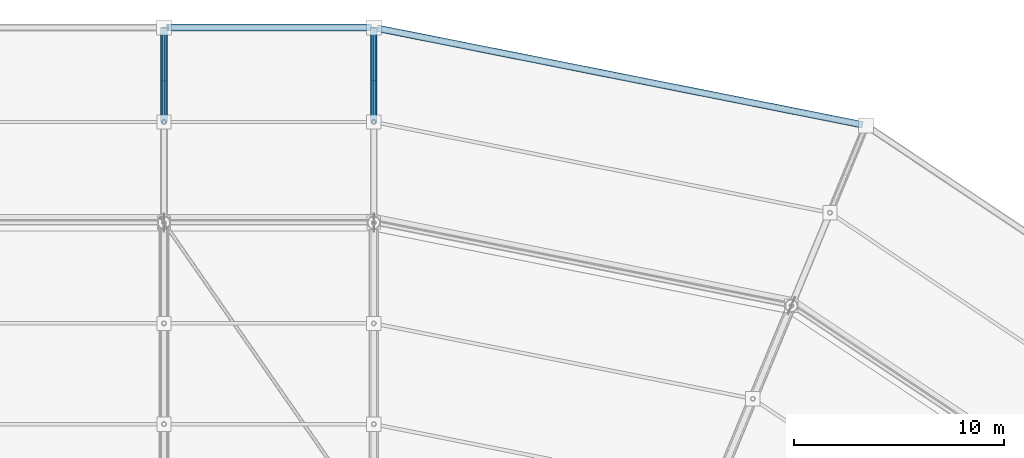
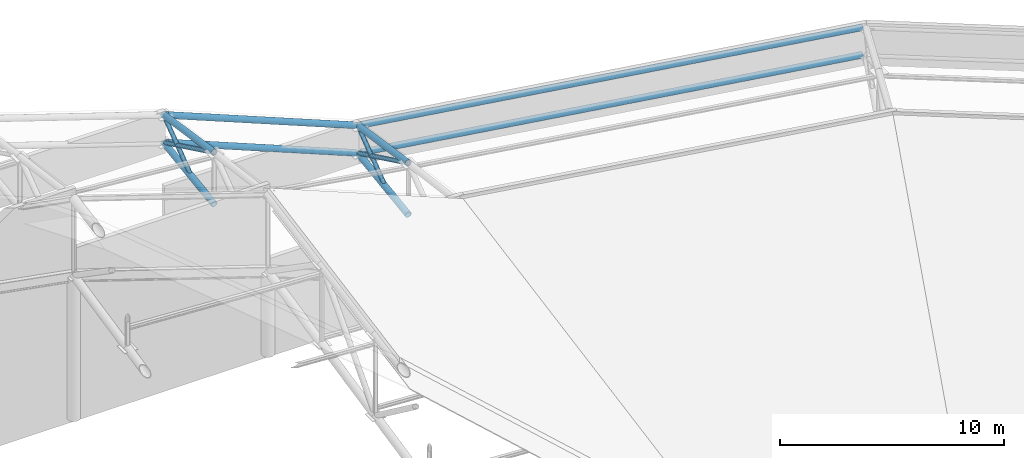
# One storey, part 99 of 146: 12 members.
"""IFC4 building model written with IfcOpenShell, lengths in metres."""

from ifc_helpers import new_model, si_unit, direction, frame, origin, origin_2d, place, context, subcontext, project, spatial, hollow_circle, extrude, material, material_profile, profile_set, type_object, element, save


model = new_model("IFC4")

# Units and contexts
model_context = context("Model", 3, precision=1e-05, world=origin(), true_north=direction((0.0, 1.0)))
body_context = subcontext(model_context, "Body", "Model", "MODEL_VIEW")
ifc_project = project(units=[si_unit("LENGTHUNIT", "METRE"), si_unit("AREAUNIT", "SQUARE_METRE"), si_unit("VOLUMEUNIT", "CUBIC_METRE"), si_unit("PLANEANGLEUNIT", "RADIAN"), si_unit("MASSUNIT", "GRAM", prefix="KILO")], contexts=[model_context])

# Site, building, storey
site_placement = place(None, origin())
site = spatial("IfcSite", under=ifc_project, at=site_placement, CompositionType="ELEMENT")
building_placement = place(site_placement, origin())
building = spatial("IfcBuilding", under=site, at=building_placement, Name="Candeia Ridge Stadium", CompositionType="ELEMENT")
storey_placement = place(building_placement, frame((0.0, 0.0, 31.800048828125)))
storey = spatial("IfcBuildingStorey", under=building, at=storey_placement, Name="RF", CompositionType="ELEMENT", Elevation=31.800048828125)

# Members
ifc_material = material(Name="Steel ASTM A572 Grade 50", Category="steel")
ifc_material_profile_1 = material_profile(ifc_material, hollow_circle(Radius=0.161865234375, WallThickness=0.012451171875, at=origin_2d()), Name="CHS323x12", Category="steel")
ifc_profile_set_1 = profile_set([ifc_material_profile_1], Name="Steel ASTM A572 Grade 50")
member_type_1 = type_object("IfcMemberType", Name="Roof Truss Eaves Chord CHS323x12", PredefinedType="CHORD", material=ifc_profile_set_1)
member_1_placement = place(storey_placement, frame((141.0, 151.800048828125, 3.958251953125), z_axis=(0.0, 0.988863828185, -0.148823147753), x_axis=(-1.0, 0.0, 0.0)))
element("IfcMember", 1, at=member_1_placement, inside=storey, type_object=member_type_1, Name="Roof cantilever truss RT-01 top chord 8", PredefinedType="CHORD", context=body_context, shape_type="SweptSolid", body=[
    extrude(hollow_circle(Radius=0.161865234375, WallThickness=0.012451171875, at=origin_2d()), origin(), (0.0, 0.0, 1.0), 4.55078125),
])
member_2_placement = place(storey_placement, frame((141.0, 151.800048828125, 1.15185546875), z_axis=(0.0, 0.990367404155, 0.138464453153), x_axis=(-1.0, 0.0, 0.0)))
element("IfcMember", 2, at=member_2_placement, inside=storey, type_object=member_type_1, Name="Roof cantilever truss RT-01 bottom chord 8", PredefinedType="CHORD", context=body_context, shape_type="SweptSolid", body=[
    extrude(hollow_circle(Radius=0.161865234375, WallThickness=0.012451171875, at=origin_2d()), origin(), (0.0, 0.0, 1.0), 4.543701171875),
])
for number, where, z_axis, x_axis, name in (
    (3, (140.851806640625, 156.300048828125, 3.34130859375), (-0.925944259539, 0.0, 0.377660202068), (0.0, -1.0, 0.0), "Saddle roof outer eaves top ring chord bay 01"),
    (4, (140.851806640625, 156.300048828125, 1.84130859375), (-0.925944259539, 0.0, 0.377660202068), (0.0, -1.0, 0.0), "Saddle roof outer eaves bottom ring chord bay 01"),
):
    element("IfcMember", number, at=place(storey_placement, frame(where, z_axis=z_axis, x_axis=x_axis)), inside=storey, type_object=member_type_1, Name=name, PredefinedType="CHORD", context=body_context, shape_type="SweptSolid", body=[
        extrude(hollow_circle(Radius=0.161865234375, WallThickness=0.012451171875, at=origin_2d()), origin(), (0.0, 0.0, 1.0), 10.479736328125),
    ])
member_3_placement = place(storey_placement, frame((131.0, 151.800048828125, 8.036865234375), z_axis=(0.0, 0.988855931513, -0.148875608179), x_axis=(-1.0, 0.0, 0.0)))
element("IfcMember", 5, at=member_3_placement, inside=storey, type_object=member_type_1, Name="Roof cantilever truss RT-02 top chord 8", PredefinedType="CHORD", context=body_context, shape_type="SweptSolid", body=[
    extrude(hollow_circle(Radius=0.161865234375, WallThickness=0.012451171875, at=origin_2d()), origin(), (0.0, 0.0, 1.0), 4.55078125),
])
member_4_placement = place(storey_placement, frame((131.0, 151.800048828125, 5.23046875), z_axis=(0.0, 0.990374770959, 0.138411751844), x_axis=(-1.0, 0.0, 0.0)))
element("IfcMember", 6, at=member_4_placement, inside=storey, type_object=member_type_1, Name="Roof cantilever truss RT-02 bottom chord 8", PredefinedType="CHORD", context=body_context, shape_type="SweptSolid", body=[
    extrude(hollow_circle(Radius=0.161865234375, WallThickness=0.012451171875, at=origin_2d()), origin(), (0.0, 0.0, 1.0), 4.543701171875),
])
for number, where, z_axis, x_axis, name in (
    (7, (164.301513671875, 151.6650390625, 3.281005859375), (-0.980785067453, 0.195091392584, 0.0), (-0.195091392584, -0.980785067453, 0.0), "Saddle roof outer eaves top ring chord bay 36"),
    (8, (164.301513671875, 151.6650390625, 1.781005859375), (-0.980785067453, 0.195091392584, 0.0), (-0.195091392584, -0.980785067453, 0.0), "Saddle roof outer eaves bottom ring chord bay 36"),
):
    element("IfcMember", number, at=place(storey_placement, frame(where, z_axis=z_axis, x_axis=x_axis)), inside=storey, type_object=member_type_1, Name=name, PredefinedType="CHORD", context=body_context, shape_type="SweptSolid", body=[
        extrude(hollow_circle(Radius=0.161865234375, WallThickness=0.012451171875, at=origin_2d()), origin(), (0.0, 0.0, 1.0), 23.597900390625),
    ])
ifc_material_profile_2 = material_profile(ifc_material, hollow_circle(Radius=0.109619140625, WallThickness=0.010009765625, at=origin_2d()), Name="CHS219x10", Category="steel")
ifc_profile_set_2 = profile_set([ifc_material_profile_2], Name="Steel ASTM A572 Grade 50")
member_type_2 = type_object("IfcMemberType", Name="Roof Truss Inner Web Brace CHS219x10", PredefinedType="BRACE", material=ifc_profile_set_2)
member_5_placement = place(storey_placement, frame((141.0, 151.800048828125, 3.958251953125), z_axis=(0.0, 0.900172839827, -0.43553284427), x_axis=(-1.0, 0.0, 0.0)))
element("IfcMember", 9, at=member_5_placement, inside=storey, type_object=member_type_2, Name="Roof cantilever truss RT-01 diagonal web 8", PredefinedType="BRACE", context=body_context, shape_type="SweptSolid", body=[
    extrude(hollow_circle(Radius=0.109619140625, WallThickness=0.010009765625, at=origin_2d()), origin(), (0.0, 0.0, 1.0), 4.9990234375),
])
member_6_placement = place(storey_placement, frame((141.0, 153.824951171875, 1.43505859375), z_axis=(0.0, 0.80161013398, 0.597847131883), x_axis=(-1.0, 0.0, 0.0)))
element("IfcMember", 10, at=member_6_placement, inside=storey, type_object=member_type_2, Name="Roof cantilever truss RT-01 vertical post 8", PredefinedType="BRACE", context=body_context, shape_type="SweptSolid", body=[
    extrude(hollow_circle(Radius=0.109619140625, WallThickness=0.010009765625, at=origin_2d()), origin(), (0.0, 0.0, 1.0), 3.087646484375),
])
member_7_placement = place(storey_placement, frame((131.0, 151.800048828125, 8.036865234375), z_axis=(0.0, 0.900153692386, -0.435572416579), x_axis=(-1.0, 0.0, 0.0)))
element("IfcMember", 11, at=member_7_placement, inside=storey, type_object=member_type_2, Name="Roof cantilever truss RT-02 diagonal web 8", PredefinedType="BRACE", context=body_context, shape_type="SweptSolid", body=[
    extrude(hollow_circle(Radius=0.109619140625, WallThickness=0.010009765625, at=origin_2d()), origin(), (0.0, 0.0, 1.0), 4.999267578125),
])
member_8_placement = place(storey_placement, frame((131.0, 153.824951171875, 5.513427734375), z_axis=(0.0, 0.80161013398, 0.597847131883), x_axis=(-1.0, 0.0, 0.0)))
element("IfcMember", 12, at=member_8_placement, inside=storey, type_object=member_type_2, Name="Roof cantilever truss RT-02 vertical post 8", PredefinedType="BRACE", context=body_context, shape_type="SweptSolid", body=[
    extrude(hollow_circle(Radius=0.109619140625, WallThickness=0.010009765625, at=origin_2d()), origin(), (0.0, 0.0, 1.0), 3.087646484375),
])

save(model, "model.ifc")
